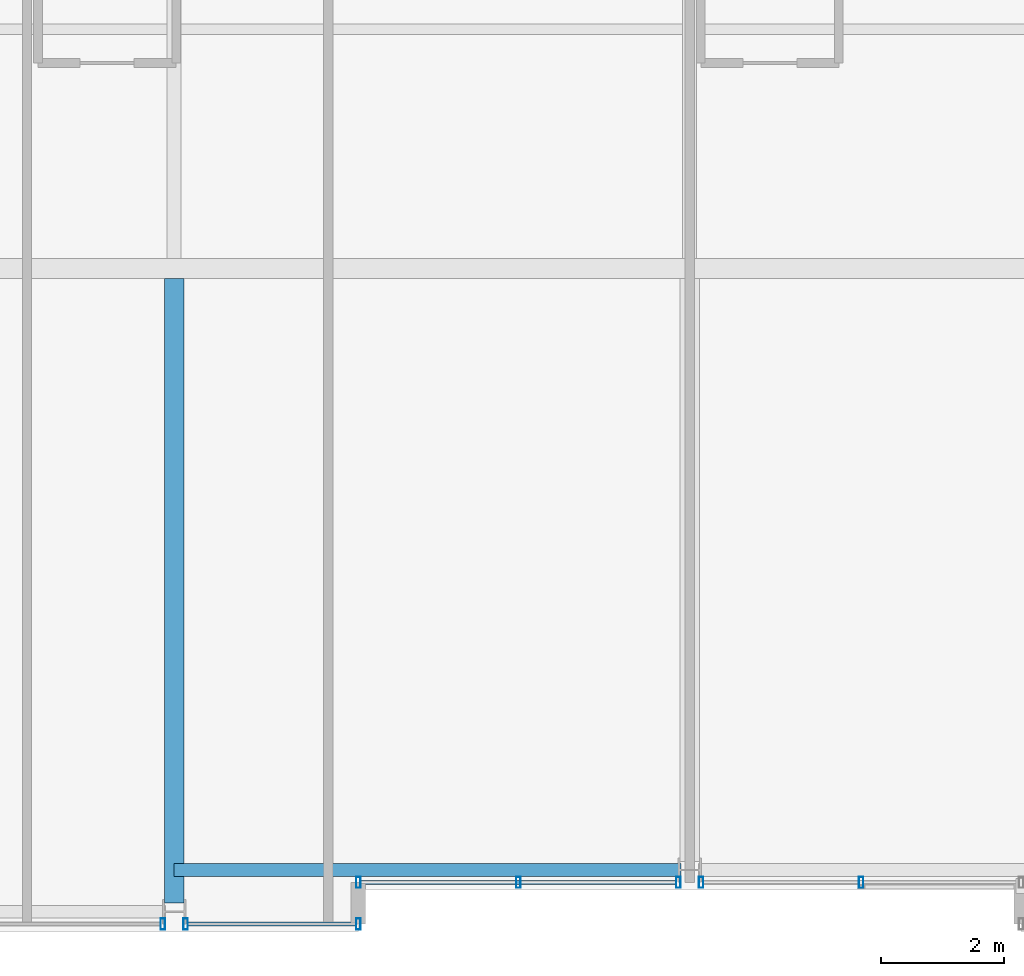
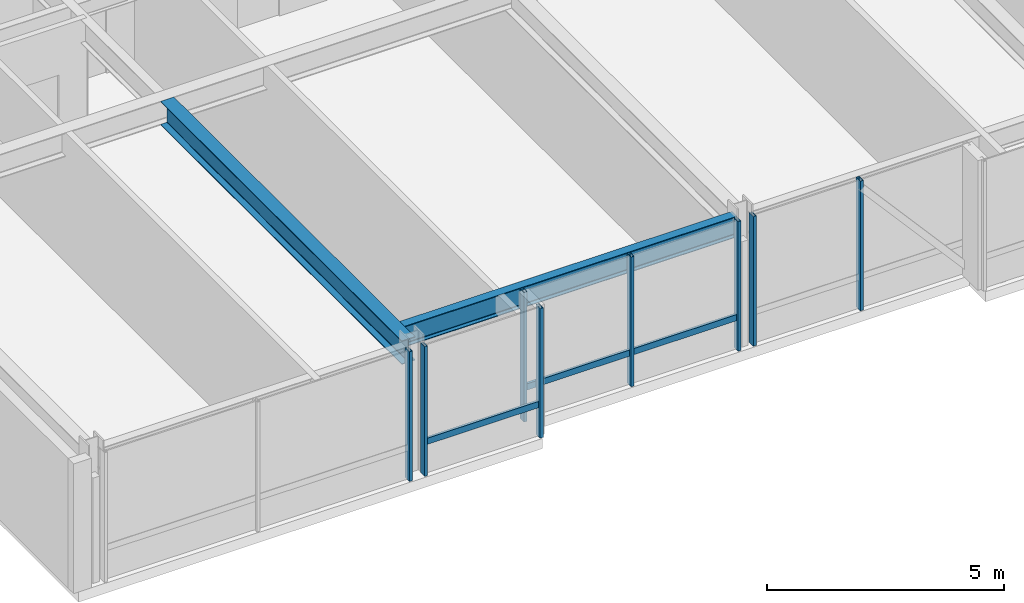
# One storey, part 4 of 32: 10 members, 2 beams, 4 elements without a shape of their own.
"""IFC4 building model written with IfcOpenShell, lengths in metres."""

from ifc_helpers import new_model, si_unit, direction, frame, origin, origin_2d, place, context, subcontext, project, spatial, hollow_rectangle, i_section, extrude, material, layer, layer_set, material_profile, profile_set, type_object, element, aggregate, save


model = new_model("IFC4")

# Units and contexts
model_context = context("Model", 3, precision=1e-05, world=origin(), true_north=direction((0.0, 1.0)))
body_context = subcontext(model_context, "Body", "Model", "MODEL_VIEW")
ifc_project = project(units=[si_unit("LENGTHUNIT", "METRE"), si_unit("AREAUNIT", "SQUARE_METRE"), si_unit("VOLUMEUNIT", "CUBIC_METRE"), si_unit("PLANEANGLEUNIT", "RADIAN"), si_unit("MASSUNIT", "GRAM", prefix="KILO")], contexts=[model_context])

# Site, building, storey
site_placement = place(None, origin())
site = spatial("IfcSite", under=ifc_project, at=site_placement, CompositionType="ELEMENT")
building_placement = place(site_placement, origin())
building = spatial("IfcBuilding", under=site, at=building_placement, Name="Drelvath Grand Hotel", CompositionType="ELEMENT")
storey_placement = place(building_placement, frame((0.0, 0.0, 205.10009765625)))
storey = spatial("IfcBuildingStorey", under=building, at=storey_placement, Name="L53", CompositionType="ELEMENT", Elevation=205.10009765625)

# Curtain wall, member
ifc_material_1 = material(Name="Platinum-Mist Anodised Aluminium Frame", Category="aluminium")
ifc_layer = layer(ifc_material_1, 0.199951171875)
ifc_layer_set = layer_set([ifc_layer], Name="Platinum-Mist Anodised Aluminium Frame")
curtain_wall_type = type_object("IfcCurtainWallType", Name="Stick Curtain Wall CW-05 Platinum Mist High-Rise", PredefinedType="NOTDEFINED", material=ifc_layer_set)
curtain_wall_1_placement = place(storey_placement, origin())
curtain_wall_1 = element("IfcCurtainWall", 1, at=curtain_wall_1_placement, inside=storey, type_object=curtain_wall_type, Name="L53 CW-05 Curtain Wall CW05-L53-SM1", PredefinedType="NOTDEFINED")
ifc_material_profile_1 = material_profile(ifc_material_1, hollow_rectangle(XDim=0.06494140625, YDim=0.159912109375, WallThickness=0.00390625, at=origin_2d()), Name="HSS160X65X4")
ifc_profile_set_1 = profile_set([ifc_material_profile_1], Name="Platinum-Mist Anodised Aluminium Frame")
member_type_1 = type_object("IfcMemberType", Name="Curtain Wall Horizontal Transom CW-05 HSS160X65X4", PredefinedType="USERDEFINED", material=ifc_profile_set_1)
member_1_placement = place(storey_placement, frame((-0.225341796875, 0.800048828125, 0.8349609375), z_axis=(-1.0, 0.0, 0.0), x_axis=(0.0, -1.0, 0.0)))
member_1 = element("IfcMember", 2, at=member_1_placement, type_object=member_type_1, Name="CW05-L53-SM1 Sill Transom", ObjectType="TRANSOM", PredefinedType="USERDEFINED", context=body_context, shape_type="SweptSolid", body=[
    extrude(hollow_rectangle(XDim=0.06494140625, YDim=0.159912109375, WallThickness=0.00390625, at=origin_2d()), origin(), (0.0, 0.0, 1.0), 5.134765625),
])

curtain_wall_2_placement = place(storey_placement, origin())
curtain_wall_2 = element("IfcCurtainWall", 3, at=curtain_wall_2_placement, inside=storey, type_object=curtain_wall_type, Name="L53 CW-05 Curtain Wall CW05-L53-SW3", PredefinedType="NOTDEFINED")
member_2_placement = place(storey_placement, frame((-5.43994140625, 0.1201171875, 0.8349609375), z_axis=(-1.0, 0.0, 0.0), x_axis=(0.0, -1.0, 0.0)))
member_2 = element("IfcMember", 4, at=member_2_placement, type_object=member_type_1, Name="CW05-L53-SW3 Sill Transom", ObjectType="TRANSOM", PredefinedType="USERDEFINED", context=body_context, shape_type="SweptSolid", body=[
    extrude(hollow_rectangle(XDim=0.06494140625, YDim=0.159912109375, WallThickness=0.00390625, at=origin_2d()), origin(), (0.0, 0.0, 1.0), 2.73486328125),
])

# Member
ifc_material_profile_2 = material_profile(ifc_material_1, hollow_rectangle(XDim=0.074951171875, YDim=0.179931640625, WallThickness=0.0048828125, at=origin_2d()), Name="HSS180X75X5")
ifc_profile_set_2 = profile_set([ifc_material_profile_2], Name="Platinum-Mist Anodised Aluminium Frame")
member_type_2 = type_object("IfcMemberType", Name="Curtain Wall Vertical Mullion CW-05 HSS180X75X5", PredefinedType="MULLION", material=ifc_profile_set_2)
member_3_placement = place(storey_placement, frame((-0.185302734375, 0.800048828125, 0.0), z_axis=(0.0, 0.0, 1.0), x_axis=(1.0, 0.0, 0.0)))
member_3 = element("IfcMember", 5, at=member_3_placement, type_object=member_type_2, Name="CW05-L53-SM1 Mullion 1", PredefinedType="MULLION", context=body_context, shape_type="SweptSolid", body=[
    extrude(hollow_rectangle(XDim=0.074951171875, YDim=0.179931640625, WallThickness=0.0048828125, at=origin_2d()), origin(), (0.0, 0.0, 1.0), 3.33984375),
])

member_4_placement = place(storey_placement, frame((-2.792724609375, 0.800048828125, 0.0), z_axis=(0.0, 0.0, 1.0), x_axis=(1.0, 0.0, 0.0)))
member_4 = element("IfcMember", 6, at=member_4_placement, type_object=member_type_2, Name="CW05-L53-SM1 Mullion 2", PredefinedType="MULLION", context=body_context, shape_type="SweptSolid", body=[
    extrude(hollow_rectangle(XDim=0.074951171875, YDim=0.179931640625, WallThickness=0.0048828125, at=origin_2d()), origin(), (0.0, 0.0, 1.0), 3.33984375),
])

member_5_placement = place(storey_placement, frame((-5.39990234375, 0.800048828125, 0.0), z_axis=(0.0, 0.0, 1.0), x_axis=(1.0, 0.0, 0.0)))
member_5 = element("IfcMember", 7, at=member_5_placement, type_object=member_type_2, Name="CW05-L53-SM1 Mullion 3", PredefinedType="MULLION", context=body_context, shape_type="SweptSolid", body=[
    extrude(hollow_rectangle(XDim=0.074951171875, YDim=0.179931640625, WallThickness=0.0048828125, at=origin_2d()), origin(), (0.0, 0.0, 1.0), 3.33984375),
])

aggregate(curtain_wall_1, [member_3, member_4, member_5, member_1])

# Curtain wall, members
curtain_wall_3_placement = place(storey_placement, origin())
curtain_wall_3 = element("IfcCurtainWall", 8, at=curtain_wall_3_placement, inside=storey, type_object=curtain_wall_type, Name="L53 CW-05 Curtain Wall CW05-L53-SM2", PredefinedType="NOTDEFINED")
member_6_placement = place(storey_placement, frame((2.792724609375, 0.800048828125, 0.0), z_axis=(0.0, 0.0, 1.0), x_axis=(1.0, 0.0, 0.0)))
member_6 = element("IfcMember", 9, at=member_6_placement, type_object=member_type_2, Name="CW05-L53-SM2 Mullion 2", PredefinedType="MULLION", context=body_context, shape_type="SweptSolid", body=[
    extrude(hollow_rectangle(XDim=0.074951171875, YDim=0.179931640625, WallThickness=0.0048828125, at=origin_2d()), origin(), (0.0, 0.0, 1.0), 3.33984375),
])
member_7_placement = place(storey_placement, frame((0.185302734375, 0.800048828125, 0.0), z_axis=(0.0, 0.0, 1.0), x_axis=(1.0, 0.0, 0.0)))
member_7 = element("IfcMember", 10, at=member_7_placement, type_object=member_type_2, Name="CW05-L53-SM2 Mullion 3", PredefinedType="MULLION", context=body_context, shape_type="SweptSolid", body=[
    extrude(hollow_rectangle(XDim=0.074951171875, YDim=0.179931640625, WallThickness=0.0048828125, at=origin_2d()), origin(), (0.0, 0.0, 1.0), 3.33984375),
])
aggregate(curtain_wall_3, [member_6, member_7])

# Curtain wall, member
curtain_wall_4_placement = place(storey_placement, origin())
curtain_wall_4 = element("IfcCurtainWall", 11, at=curtain_wall_4_placement, inside=storey, type_object=curtain_wall_type, Name="L53 CW-05 Curtain Wall CW05-L53-SW2", PredefinedType="NOTDEFINED")
member_8_placement = place(storey_placement, frame((-8.585205078125, 0.1201171875, 0.0), z_axis=(0.0, 0.0, 1.0), x_axis=(1.0, 0.0, 0.0)))
member_8 = element("IfcMember", 12, at=member_8_placement, type_object=member_type_2, Name="CW05-L53-SW2 Mullion 1", PredefinedType="MULLION", context=body_context, shape_type="SweptSolid", body=[
    extrude(hollow_rectangle(XDim=0.074951171875, YDim=0.179931640625, WallThickness=0.0048828125, at=origin_2d()), origin(), (0.0, 0.0, 1.0), 3.33984375),
])
aggregate(curtain_wall_4, [member_8])

# Member
member_9_placement = place(storey_placement, frame((-5.39990234375, 0.1201171875, 0.0), z_axis=(0.0, 0.0, 1.0), x_axis=(1.0, 0.0, 0.0)))
member_9 = element("IfcMember", 13, at=member_9_placement, type_object=member_type_2, Name="CW05-L53-SW3 Mullion 1", PredefinedType="MULLION", context=body_context, shape_type="SweptSolid", body=[
    extrude(hollow_rectangle(XDim=0.074951171875, YDim=0.179931640625, WallThickness=0.0048828125, at=origin_2d()), origin(), (0.0, 0.0, 1.0), 3.33984375),
])

member_10_placement = place(storey_placement, frame((-8.214599609375, 0.1201171875, 0.0), z_axis=(0.0, 0.0, 1.0), x_axis=(1.0, 0.0, 0.0)))
member_10 = element("IfcMember", 14, at=member_10_placement, type_object=member_type_2, Name="CW05-L53-SW3 Mullion 2", PredefinedType="MULLION", context=body_context, shape_type="SweptSolid", body=[
    extrude(hollow_rectangle(XDim=0.074951171875, YDim=0.179931640625, WallThickness=0.0048828125, at=origin_2d()), origin(), (0.0, 0.0, 1.0), 3.33984375),
])

aggregate(curtain_wall_2, [member_9, member_10, member_2])

# Beams
ifc_material_2 = material(Name="Steel ASTM A992 Gr 50", Category="steel")
ifc_material_profile_3 = material_profile(ifc_material_2, i_section(OverallWidth=0.210205078125, OverallDepth=0.53662109375, WebThickness=0.010986328125, FlangeThickness=0.017333984375, FilletRadius=0.01806640625, at=origin_2d()), Name="W21X68")
ifc_profile_set_3 = profile_set([ifc_material_profile_3], Name="Steel ASTM A992 Gr 50")
beam_type_1 = type_object("IfcBeamType", Name="Perimeter Spandrel Beam W21X68", PredefinedType="SPANDREL", material=ifc_profile_set_3)
beam_1_placement = place(storey_placement, frame((-8.39990234375, 1.0, 3.071533203125), z_axis=(1.0, 0.0, 0.0), x_axis=(0.0, 1.0, 0.0)))
element("IfcBeam", 15, at=beam_1_placement, inside=storey, type_object=beam_type_1, Name="L53 Spandrel South Mid W", PredefinedType="SPANDREL", context=body_context, shape_type="SweptSolid", body=[
    extrude(i_section(OverallWidth=0.210205078125, OverallDepth=0.53662109375, WebThickness=0.010986328125, FlangeThickness=0.017333984375, FilletRadius=0.01806640625, at=origin_2d()), origin(), (0.0, 0.0, 1.0), 8.260009765625),
])
ifc_material_profile_4 = material_profile(ifc_material_2, i_section(OverallWidth=0.323974609375, OverallDepth=0.611083984375, WebThickness=0.0126953125, FlangeThickness=0.01904296875, FilletRadius=0.02197265625, at=origin_2d()), Name="W24X104")
ifc_profile_set_4 = profile_set([ifc_material_profile_4], Name="Steel ASTM A992 Gr 50")
beam_type_2 = type_object("IfcBeamType", Name="Primary Floor Girder W24X104", PredefinedType="BEAM", material=ifc_profile_set_4)
beam_2_placement = place(storey_placement, frame((-8.39990234375, 0.4599609375, 3.034423828125), z_axis=(0.0, 1.0, 0.0), x_axis=(-1.0, 0.0, 0.0)))
element("IfcBeam", 16, at=beam_2_placement, inside=storey, type_object=beam_type_2, Name="L53 South Wing Girder 4", PredefinedType="BEAM", context=body_context, shape_type="SweptSolid", body=[
    extrude(i_section(OverallWidth=0.323974609375, OverallDepth=0.611083984375, WebThickness=0.0126953125, FlangeThickness=0.01904296875, FilletRadius=0.02197265625, at=origin_2d()), origin(), (0.0, 0.0, 1.0), 10.177978515625),
])

save(model, "model.ifc")
